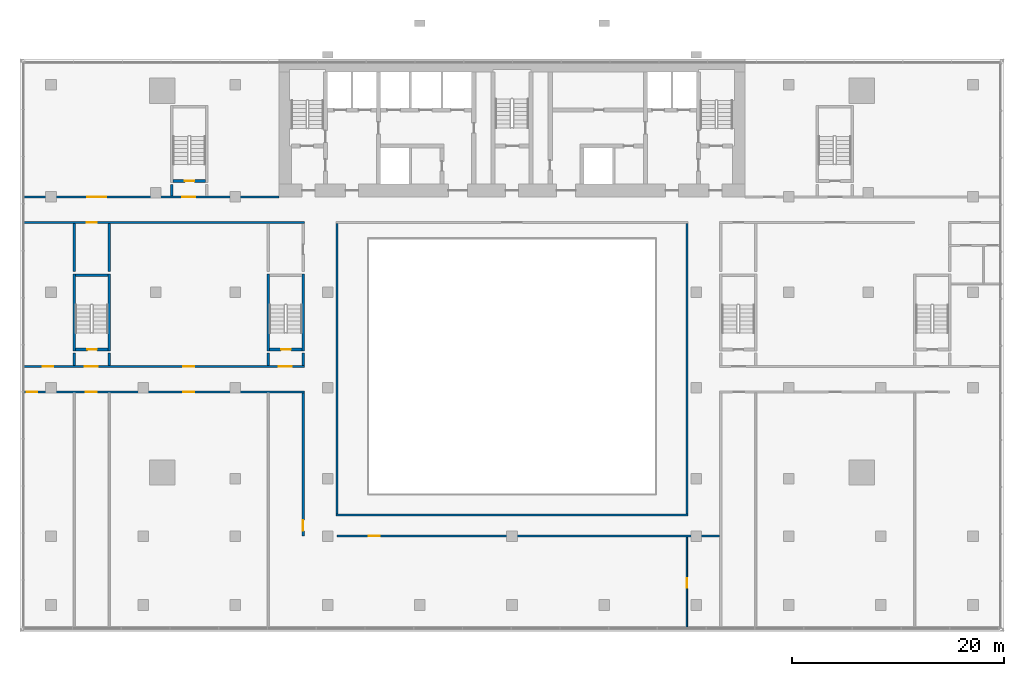
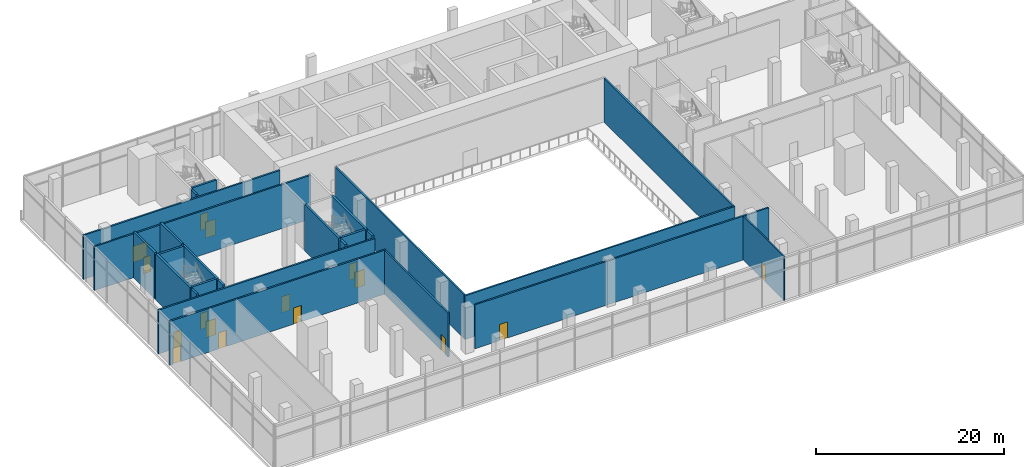
# One storey, part 12 of 22: 25 walls, 16 doors, 16 openings.
"""IFC4 building model written with IfcOpenShell, lengths in metres."""

from ifc_helpers import new_model, si_unit, direction, frame, frame_2d, origin, place, context, subcontext, project, spatial, rectangle, extrude, material, layer, layer_set, type_object, element, fill, save


model = new_model("IFC4")

# Units and contexts
model_context = context("Model", 3, precision=1e-05, world=origin(), true_north=direction((0.0, 1.0)))
body_context = subcontext(model_context, "Body", "Model", "MODEL_VIEW")
ifc_project = project(units=[si_unit("LENGTHUNIT", "METRE"), si_unit("AREAUNIT", "SQUARE_METRE"), si_unit("VOLUMEUNIT", "CUBIC_METRE"), si_unit("PLANEANGLEUNIT", "RADIAN"), si_unit("MASSUNIT", "GRAM", prefix="KILO")], contexts=[model_context])

# Site, building, storey
site_placement = place(None, origin())
site = spatial("IfcSite", under=ifc_project, at=site_placement, CompositionType="ELEMENT")
building_placement = place(site_placement, origin())
building = spatial("IfcBuilding", under=site, at=building_placement, Name="Bicima Exchange Tower", CompositionType="ELEMENT")
storey_placement = place(building_placement, frame((0.0, 0.0, 14.0)))
storey = spatial("IfcBuildingStorey", under=building, at=storey_placement, Name="L02", CompositionType="ELEMENT", Elevation=14.0)

# Wall, opening, door
ifc_material_1 = material(Name="Gypsum board partition")
ifc_layer_1 = layer(ifc_material_1, 0.199951171875)
ifc_layer_set_1 = layer_set([ifc_layer_1], Name="Gypsum board partition")
wall_type_1 = type_object("IfcWallType", Name="Fire-rated gypsum partition 200 EI60", PredefinedType="PARTITIONING", material=ifc_layer_set_1)
wall_1_placement = place(storey_placement, frame((-16.5, -45.0, 0.0), z_axis=(0.0, 0.0, 1.0), x_axis=(1.0, 0.0, 0.0)))
wall_1 = element("IfcWall", 1, at=wall_1_placement, inside=storey, type_object=wall_type_1, Name="partition wall 1", PredefinedType="PARTITIONING", context=body_context, shape_type="SweptSolid", body=[
    extrude(rectangle(XDim=36.10009765625, YDim=0.199951171875, at=frame_2d((18.050048828125, 0.0))), origin(), (0.0, 0.0, 1.0), 5.699951171875),
])
opening_1_placement = place(wall_1_placement, frame((3.0, 0.0, 0.0)))
opening_1 = element("IfcOpeningElement", 2, at=opening_1_placement, cuts=wall_1, Name="Opening L02-014", PredefinedType="OPENING", context=body_context, shape_type="SweptSolid", body=[
    extrude(rectangle(XDim=1.0, YDim=2.10009765625, at=frame_2d((0.5, 1.050048828125))), frame((0.0, 0.11181640625, 0.0), z_axis=(0.0, -1.0, 0.0), x_axis=(1.0, 0.0, 0.0)), (0.0, 0.0, 1.0), 0.223876953125),
])
ifc_material_2 = material(Name="Steel fire door leaf", Category="steel")
door_type_1 = type_object("IfcDoorType", Name="Door 1000 swing FD30S", OperationType="SINGLE_SWING_LEFT", PredefinedType="DOOR", material=ifc_material_2)
door_1_placement = place(opening_1_placement, frame((1.0, 0.0, 0.0), z_axis=(0.0, 0.0, 1.0), x_axis=(-1.0, 0.0, 0.0)))
door_1 = element("IfcDoor", 3, at=door_1_placement, inside=storey, type_object=door_type_1, Name="Door", OperationType="SINGLE_SWING_RIGHT", OverallHeight=2.10009765625, OverallWidth=1.0, PredefinedType="DOOR", context=body_context, shape_type="SweptSolid", body=[
    extrude(rectangle(XDim=1.0, YDim=2.10009765625, at=frame_2d((0.5, 1.050048828125))), frame((0.0, 0.02490234375, 0.0), z_axis=(0.0, -1.0, 0.0), x_axis=(1.0, 0.0, 0.0)), (0.0, 0.0, 1.0), 0.050048828125),
])
fill(opening_1, door_1)

# Wall
wall_2_placement = place(storey_placement, frame((-16.60009765625, -43.0, 0.0), z_axis=(0.0, 0.0, 1.0), x_axis=(1.0, 0.0, 0.0)))
element("IfcWall", 4, at=wall_2_placement, inside=storey, type_object=wall_type_1, Name="partition wall 2", PredefinedType="PARTITIONING", context=body_context, shape_type="SweptSolid", body=[
    extrude(rectangle(XDim=33.2001953125, YDim=0.199951171875, at=frame_2d((16.60009765625, 0.0))), origin(), (0.0, 0.0, 1.0), 5.699951171875),
])

# Wall, openings, doors
wall_3_placement = place(storey_placement, frame((-46.18994140625, -31.39990234375, 0.0), z_axis=(0.0, 0.0, 1.0), x_axis=(1.0, 0.0, 0.0)))
wall_3 = element("IfcWall", 5, at=wall_3_placement, inside=storey, type_object=wall_type_1, Name="partition wall 3", PredefinedType="PARTITIONING", context=body_context, shape_type="SweptSolid", body=[
    extrude(rectangle(XDim=26.58984375, YDim=0.199951171875, at=frame_2d((13.294921875, 0.0))), origin(), (0.0, 0.0, 1.0), 5.699951171875),
])
opening_2_placement = place(wall_3_placement, frame((0.39990234375, 0.0, 0.0)))
opening_2 = element("IfcOpeningElement", 6, at=opening_2_placement, cuts=wall_3, Name="Opening L02-018", PredefinedType="OPENING", context=body_context, shape_type="SweptSolid", body=[
    extrude(rectangle(XDim=1.0, YDim=2.10009765625, at=frame_2d((0.5, 1.050048828125))), frame((0.0, 0.11181640625, 0.0), z_axis=(0.0, -1.0, 0.0), x_axis=(1.0, 0.0, 0.0)), (0.0, 0.0, 1.0), 0.223876953125),
])
opening_3_placement = place(wall_3_placement, frame((5.989990234375, 0.0, 0.0)))
opening_3 = element("IfcOpeningElement", 7, at=opening_3_placement, cuts=wall_3, Name="Opening L02-020", PredefinedType="OPENING", context=body_context, shape_type="SweptSolid", body=[
    extrude(rectangle(XDim=1.0, YDim=2.10009765625, at=frame_2d((0.5, 1.050048828125))), frame((0.0, 0.11181640625, 0.0), z_axis=(0.0, -1.0, 0.0), x_axis=(1.0, 0.0, 0.0)), (0.0, 0.0, 1.0), 0.223876953125),
])
opening_4_placement = place(wall_3_placement, frame((15.18994140625, 0.0, 0.0)))
opening_4 = element("IfcOpeningElement", 8, at=opening_4_placement, cuts=wall_3, Name="Opening L02-022", PredefinedType="OPENING", context=body_context, shape_type="SweptSolid", body=[
    extrude(rectangle(XDim=1.0, YDim=2.10009765625, at=frame_2d((0.5, 1.050048828125))), frame((0.0, 0.11181640625, 0.0), z_axis=(0.0, -1.0, 0.0), x_axis=(1.0, 0.0, 0.0)), (0.0, 0.0, 1.0), 0.223876953125),
])
door_2_placement = place(opening_2_placement, frame((1.0, 0.0, 0.0), z_axis=(0.0, 0.0, 1.0), x_axis=(-1.0, 0.0, 0.0)))
door_2 = element("IfcDoor", 9, at=door_2_placement, inside=storey, type_object=door_type_1, Name="Door", OperationType="SINGLE_SWING_RIGHT", OverallHeight=2.10009765625, OverallWidth=1.0, PredefinedType="DOOR", context=body_context, shape_type="SweptSolid", body=[
    extrude(rectangle(XDim=1.0, YDim=2.10009765625, at=frame_2d((0.5, 1.050048828125))), frame((0.0, 0.02490234375, 0.0), z_axis=(0.0, -1.0, 0.0), x_axis=(1.0, 0.0, 0.0)), (0.0, 0.0, 1.0), 0.050048828125),
])
fill(opening_2, door_2)
door_3_placement = place(opening_3_placement, frame((1.0, 0.0, 0.0), z_axis=(0.0, 0.0, 1.0), x_axis=(-1.0, 0.0, 0.0)))
door_3 = element("IfcDoor", 10, at=door_3_placement, inside=storey, type_object=door_type_1, Name="Door", OperationType="SINGLE_SWING_RIGHT", OverallHeight=2.10009765625, OverallWidth=1.0, PredefinedType="DOOR", context=body_context, shape_type="SweptSolid", body=[
    extrude(rectangle(XDim=1.0, YDim=2.10009765625, at=frame_2d((0.5, 1.050048828125))), frame((0.0, 0.02490234375, 0.0), z_axis=(0.0, -1.0, 0.0), x_axis=(1.0, 0.0, 0.0)), (0.0, 0.0, 1.0), 0.050048828125),
])
fill(opening_3, door_3)
door_4_placement = place(opening_4_placement, frame((1.0, 0.0, 0.0), z_axis=(0.0, 0.0, 1.0), x_axis=(-1.0, 0.0, 0.0)))
door_4 = element("IfcDoor", 11, at=door_4_placement, inside=storey, type_object=door_type_1, Name="Door", OperationType="SINGLE_SWING_LEFT", OverallHeight=2.10009765625, OverallWidth=1.0, PredefinedType="DOOR", context=body_context, shape_type="SweptSolid", body=[
    extrude(rectangle(XDim=1.0, YDim=2.10009765625, at=frame_2d((0.5, 1.050048828125))), frame((0.0, 0.02490234375, 0.0), z_axis=(0.0, -1.0, 0.0), x_axis=(1.0, 0.0, 0.0)), (0.0, 0.0, 1.0), 0.050048828125),
])
fill(opening_4, door_4)

wall_4_placement = place(storey_placement, frame((-46.18994140625, -29.0, 0.0), z_axis=(0.0, 0.0, 1.0), x_axis=(1.0, 0.0, 0.0)))
wall_4 = element("IfcWall", 12, at=wall_4_placement, inside=storey, type_object=wall_type_1, Name="partition wall 5", PredefinedType="PARTITIONING", context=body_context, shape_type="SweptSolid", body=[
    extrude(rectangle(XDim=26.614990234375, YDim=0.199951171875, at=frame_2d((13.3076171875, 0.0))), origin(), (0.0, 0.0, 1.0), 5.699951171875),
])
opening_5_placement = place(wall_4_placement, frame((5.889892578125, 0.0, 0.0)))
opening_5 = element("IfcOpeningElement", 13, at=opening_5_placement, cuts=wall_4, Name="Opening L02-001", PredefinedType="OPENING", context=body_context, shape_type="SweptSolid", body=[
    extrude(rectangle(XDim=1.199951171875, YDim=2.10009765625, at=frame_2d((0.60009765625, 1.050048828125))), frame((0.0, 0.11181640625, 0.0), z_axis=(0.0, -1.0, 0.0), x_axis=(1.0, 0.0, 0.0)), (0.0, 0.0, 1.0), 0.223876953125),
])
opening_6_placement = place(wall_4_placement, frame((24.18994140625, 0.0, 0.0)))
opening_6 = element("IfcOpeningElement", 14, at=opening_6_placement, cuts=wall_4, Name="Opening L02-003", PredefinedType="OPENING", context=body_context, shape_type="SweptSolid", body=[
    extrude(rectangle(XDim=1.199951171875, YDim=2.10009765625, at=frame_2d((0.60009765625, 1.050048828125))), frame((0.0, 0.11181640625, 0.0), z_axis=(0.0, -1.0, 0.0), x_axis=(1.0, 0.0, 0.0)), (0.0, 0.0, 1.0), 0.223876953125),
])
opening_7_placement = place(wall_4_placement, frame((1.89990234375, 0.0, 0.0)))
opening_7 = element("IfcOpeningElement", 15, at=opening_7_placement, cuts=wall_4, Name="Opening L02-017", PredefinedType="OPENING", context=body_context, shape_type="SweptSolid", body=[
    extrude(rectangle(XDim=1.0, YDim=2.10009765625, at=frame_2d((0.5, 1.050048828125))), frame((0.0, 0.11181640625, 0.0), z_axis=(0.0, -1.0, 0.0), x_axis=(1.0, 0.0, 0.0)), (0.0, 0.0, 1.0), 0.223876953125),
])
opening_8_placement = place(wall_4_placement, frame((15.18994140625, 0.0, 0.0)))
opening_8 = element("IfcOpeningElement", 16, at=opening_8_placement, cuts=wall_4, Name="Opening L02-021", PredefinedType="OPENING", context=body_context, shape_type="SweptSolid", body=[
    extrude(rectangle(XDim=1.0, YDim=2.10009765625, at=frame_2d((0.5, 1.050048828125))), frame((0.0, 0.11181640625, 0.0), z_axis=(0.0, -1.0, 0.0), x_axis=(1.0, 0.0, 0.0)), (0.0, 0.0, 1.0), 0.223876953125),
])
door_5_placement = place(opening_7_placement, origin())
door_5 = element("IfcDoor", 17, at=door_5_placement, inside=storey, type_object=door_type_1, Name="Door", OperationType="SINGLE_SWING_LEFT", OverallHeight=2.10009765625, OverallWidth=1.0, PredefinedType="DOOR", context=body_context, shape_type="SweptSolid", body=[
    extrude(rectangle(XDim=1.0, YDim=2.10009765625, at=frame_2d((0.5, 1.050048828125))), frame((0.0, 0.02490234375, 0.0), z_axis=(0.0, -1.0, 0.0), x_axis=(1.0, 0.0, 0.0)), (0.0, 0.0, 1.0), 0.050048828125),
])
fill(opening_7, door_5)
door_6_placement = place(opening_8_placement, origin())
door_6 = element("IfcDoor", 18, at=door_6_placement, inside=storey, type_object=door_type_1, Name="Door", OperationType="SINGLE_SWING_RIGHT", OverallHeight=2.10009765625, OverallWidth=1.0, PredefinedType="DOOR", context=body_context, shape_type="SweptSolid", body=[
    extrude(rectangle(XDim=1.0, YDim=2.10009765625, at=frame_2d((0.5, 1.050048828125))), frame((0.0, 0.02490234375, 0.0), z_axis=(0.0, -1.0, 0.0), x_axis=(1.0, 0.0, 0.0)), (0.0, 0.0, 1.0), 0.050048828125),
])
fill(opening_8, door_6)
door_type_2 = type_object("IfcDoorType", Name="Door 1200 swing FD30S", OperationType="SINGLE_SWING_LEFT", PredefinedType="DOOR", material=ifc_material_2)
door_7_placement = place(opening_5_placement, origin())
door_7 = element("IfcDoor", 19, at=door_7_placement, inside=storey, type_object=door_type_2, Name="Door", OperationType="SINGLE_SWING_LEFT", OverallHeight=2.10009765625, OverallWidth=1.199951171875, PredefinedType="DOOR", context=body_context, shape_type="SweptSolid", body=[
    extrude(rectangle(XDim=1.199951171875, YDim=2.10009765625, at=frame_2d((0.60009765625, 1.050048828125))), frame((0.0, 0.02490234375, 0.0), z_axis=(0.0, -1.0, 0.0), x_axis=(1.0, 0.0, 0.0)), (0.0, 0.0, 1.0), 0.050048828125),
])
fill(opening_5, door_7)
door_8_placement = place(opening_6_placement, origin())
door_8 = element("IfcDoor", 20, at=door_8_placement, inside=storey, type_object=door_type_2, Name="Door", OperationType="SINGLE_SWING_RIGHT", OverallHeight=2.10009765625, OverallWidth=1.199951171875, PredefinedType="DOOR", context=body_context, shape_type="SweptSolid", body=[
    extrude(rectangle(XDim=1.199951171875, YDim=2.10009765625, at=frame_2d((0.60009765625, 1.050048828125))), frame((0.0, 0.02490234375, 0.0), z_axis=(0.0, -1.0, 0.0), x_axis=(1.0, 0.0, 0.0)), (0.0, 0.0, 1.0), 0.050048828125),
])
fill(opening_6, door_8)

# Wall, opening, door
wall_5_placement = place(storey_placement, frame((-46.18994140625, -15.39990234375, 0.0), z_axis=(0.0, 0.0, 1.0), x_axis=(1.0, 0.0, 0.0)))
wall_5 = element("IfcWall", 21, at=wall_5_placement, inside=storey, type_object=wall_type_1, Name="partition wall 17", PredefinedType="PARTITIONING", context=body_context, shape_type="SweptSolid", body=[
    extrude(rectangle(XDim=26.614990234375, YDim=0.199951171875, at=frame_2d((13.3076171875, 0.0))), origin(), (0.0, 0.0, 1.0), 5.699951171875),
])
opening_9_placement = place(wall_5_placement, frame((6.090087890625, 0.0, 0.0)))
opening_9 = element("IfcOpeningElement", 22, at=opening_9_placement, cuts=wall_5, Name="Opening L02-019", PredefinedType="OPENING", context=body_context, shape_type="SweptSolid", body=[
    extrude(rectangle(XDim=0.89990234375, YDim=2.10009765625, at=frame_2d((0.449951171875, 1.050048828125))), frame((0.0, 0.11181640625, 0.0), z_axis=(0.0, -1.0, 0.0), x_axis=(1.0, 0.0, 0.0)), (0.0, 0.0, 1.0), 0.223876953125),
])
door_type_3 = type_object("IfcDoorType", Name="Door 900 swing FD30S", OperationType="SINGLE_SWING_LEFT", PredefinedType="DOOR", material=ifc_material_2)
door_9_placement = place(opening_9_placement, frame((0.89990234375, 0.0, 0.0), z_axis=(0.0, 0.0, 1.0), x_axis=(-1.0, 0.0, 0.0)))
door_9 = element("IfcDoor", 23, at=door_9_placement, inside=storey, type_object=door_type_3, Name="Door", OperationType="SINGLE_SWING_LEFT", OverallHeight=2.10009765625, OverallWidth=0.89990234375, PredefinedType="DOOR", context=body_context, shape_type="SweptSolid", body=[
    extrude(rectangle(XDim=0.89990234375, YDim=2.10009765625, at=frame_2d((0.449951171875, 1.050048828125))), frame((0.0, 0.02490234375, 0.0), z_axis=(0.0, -1.0, 0.0), x_axis=(1.0, 0.0, 0.0)), (0.0, 0.0, 1.0), 0.050048828125),
])
fill(opening_9, door_9)

# Wall, openings, doors
wall_6_placement = place(storey_placement, frame((-46.18994140625, -13.0, 0.0), z_axis=(0.0, 0.0, 1.0), x_axis=(1.0, 0.0, 0.0)))
wall_6 = element("IfcWall", 24, at=wall_6_placement, inside=storey, type_object=wall_type_1, Name="partition wall 21", PredefinedType="PARTITIONING", context=body_context, shape_type="SweptSolid", body=[
    extrude(rectangle(XDim=24.18994140625, YDim=0.199951171875, at=frame_2d((12.094970703125, 0.0))), origin(), (0.0, 0.0, 1.0), 5.699951171875),
])
opening_10_placement = place(wall_6_placement, frame((15.090087890625, 0.0, 0.0)))
opening_10 = element("IfcOpeningElement", 25, at=opening_10_placement, cuts=wall_6, Name="Opening L02-009", PredefinedType="OPENING", context=body_context, shape_type="SweptSolid", body=[
    extrude(rectangle(XDim=1.199951171875, YDim=2.10009765625, at=frame_2d((0.60009765625, 1.050048828125))), frame((0.0, 0.11181640625, 0.0), z_axis=(0.0, -1.0, 0.0), x_axis=(1.0, 0.0, 0.0)), (0.0, 0.0, 1.0), 0.223876953125),
])
opening_11_placement = place(wall_6_placement, frame((6.10009765625, 0.0, 0.0)))
opening_11 = element("IfcOpeningElement", 26, at=opening_11_placement, cuts=wall_6, Name="Opening L02-015", PredefinedType="OPENING", context=body_context, shape_type="SweptSolid", body=[
    extrude(rectangle(XDim=1.800048828125, YDim=2.10009765625, at=frame_2d((0.89990234375, 1.050048828125))), frame((0.0, 0.11181640625, 0.0), z_axis=(0.0, -1.0, 0.0), x_axis=(1.0, 0.0, 0.0)), (0.0, 0.0, 1.0), 0.223876953125),
])
door_10_placement = place(opening_10_placement, origin())
door_10 = element("IfcDoor", 27, at=door_10_placement, inside=storey, type_object=door_type_2, Name="Door", OperationType="SINGLE_SWING_RIGHT", OverallHeight=2.10009765625, OverallWidth=1.199951171875, PredefinedType="DOOR", context=body_context, shape_type="SweptSolid", body=[
    extrude(rectangle(XDim=1.199951171875, YDim=2.10009765625, at=frame_2d((0.60009765625, 1.050048828125))), frame((0.0, 0.02490234375, 0.0), z_axis=(0.0, -1.0, 0.0), x_axis=(1.0, 0.0, 0.0)), (0.0, 0.0, 1.0), 0.050048828125),
])
fill(opening_10, door_10)
door_type_4 = type_object("IfcDoorType", Name="Door 1800 double swing FD30S", OperationType="DOUBLE_DOOR_SINGLE_SWING", PredefinedType="DOOR", material=ifc_material_2)
door_11_placement = place(opening_11_placement, origin())
door_11 = element("IfcDoor", 28, at=door_11_placement, inside=storey, type_object=door_type_4, Name="Door", OperationType="SINGLE_SWING_LEFT", OverallHeight=2.10009765625, OverallWidth=1.800048828125, PredefinedType="DOOR", context=body_context, shape_type="SweptSolid", body=[
    extrude(rectangle(XDim=1.800048828125, YDim=2.10009765625, at=frame_2d((0.89990234375, 1.050048828125))), frame((0.0, 0.02490234375, 0.0), z_axis=(0.0, -1.0, 0.0), x_axis=(1.0, 0.0, 0.0)), (0.0, 0.0, 1.0), 0.050048828125),
])
fill(opening_11, door_11)

# Wall, opening, door
wall_7_placement = place(storey_placement, frame((-19.699951171875, -45.0, 0.0), z_axis=(0.0, 0.0, 1.0), x_axis=(0.0, 1.0, 0.0)))
wall_7 = element("IfcWall", 29, at=wall_7_placement, inside=storey, type_object=wall_type_1, Name="partition wall 37", PredefinedType="PARTITIONING", context=body_context, shape_type="SweptSolid", body=[
    extrude(rectangle(XDim=13.5, YDim=0.199951171875, at=frame_2d((6.75, 0.0))), origin(), (0.0, 0.0, 1.0), 5.699951171875),
])
opening_12_placement = place(wall_7_placement, frame((0.5, 0.0, 0.0)))
opening_12 = element("IfcOpeningElement", 30, at=opening_12_placement, cuts=wall_7, Name="Opening L02-024", PredefinedType="OPENING", context=body_context, shape_type="SweptSolid", body=[
    extrude(rectangle(XDim=1.0, YDim=2.10009765625, at=frame_2d((0.5, 1.050048828125))), frame((0.0, 0.11181640625, 0.0), z_axis=(0.0, -1.0, 0.0), x_axis=(1.0, 0.0, 0.0)), (0.0, 0.0, 1.0), 0.223876953125),
])
door_12_placement = place(opening_12_placement, origin())
door_12 = element("IfcDoor", 31, at=door_12_placement, inside=storey, type_object=door_type_1, Name="Door", OperationType="SINGLE_SWING_RIGHT", OverallHeight=2.10009765625, OverallWidth=1.0, PredefinedType="DOOR", context=body_context, shape_type="SweptSolid", body=[
    extrude(rectangle(XDim=1.0, YDim=2.10009765625, at=frame_2d((0.5, 1.050048828125))), frame((0.0, 0.02490234375, 0.0), z_axis=(0.0, -1.0, 0.0), x_axis=(1.0, 0.0, 0.0)), (0.0, 0.0, 1.0), 0.050048828125),
])
fill(opening_12, door_12)

# Walls
for number, where, z_axis, x_axis, name in (
    (32, (-16.5, -42.89990234375, 0.0), (0.0, 0.0, 1.0), (0.0, 1.0, 0.0), "partition wall 39"),
    (33, (16.5, -42.89990234375, 0.0), (0.0, 0.0, 1.0), (0.0, 1.0, 0.0), "partition wall 41"),
):
    element("IfcWall", number, at=place(storey_placement, frame(where, z_axis=z_axis, x_axis=x_axis)), inside=storey, type_object=wall_type_1, Name=name, PredefinedType="PARTITIONING", context=body_context, shape_type="SweptSolid", body=[
        extrude(rectangle(XDim=27.39990234375, YDim=0.199951171875, at=frame_2d((13.699951171875, 0.0))), origin(), (0.0, 0.0, 1.0), 5.699951171875),
    ])

# Wall, opening, door
ifc_layer_2 = layer(ifc_material_1, 0.14990234375)
ifc_layer_set_2 = layer_set([ifc_layer_2], Name="Gypsum board partition")
wall_type_2 = type_object("IfcWallType", Name="Gypsum partition 150", PredefinedType="PARTITIONING", material=ifc_layer_set_2)
wall_8_placement = place(storey_placement, frame((16.5, -53.7900390625, 0.0), z_axis=(0.0, 0.0, 1.0), x_axis=(0.0, 1.0, 0.0)))
wall_8 = element("IfcWall", 34, at=wall_8_placement, inside=storey, type_object=wall_type_2, Name="partition wall 40", PredefinedType="PARTITIONING", context=body_context, shape_type="SweptSolid", body=[
    extrude(rectangle(XDim=8.68994140625, YDim=0.14990234375, at=frame_2d((4.344970703125, 0.0))), origin(), (0.0, 0.0, 1.0), 5.699951171875),
])
opening_13_placement = place(wall_8_placement, frame((3.89990234375, 0.0, 0.0)))
opening_13 = element("IfcOpeningElement", 35, at=opening_13_placement, cuts=wall_8, Name="Opening L02-025", PredefinedType="OPENING", context=body_context, shape_type="SweptSolid", body=[
    extrude(rectangle(XDim=0.89990234375, YDim=2.10009765625, at=frame_2d((0.449951171875, 1.050048828125))), frame((0.0, 0.0869140625, 0.0), z_axis=(0.0, -1.0, 0.0), x_axis=(1.0, 0.0, 0.0)), (0.0, 0.0, 1.0), 0.173828125),
])
ifc_material_3 = material(Name="Timber door leaf", Category="wood")
door_type_5 = type_object("IfcDoorType", Name="Door 900 swing", OperationType="SINGLE_SWING_LEFT", PredefinedType="DOOR", material=ifc_material_3)
door_13_placement = place(opening_13_placement, frame((0.89990234375, 0.0, 0.0), z_axis=(0.0, 0.0, 1.0), x_axis=(-1.0, 0.0, 0.0)))
door_13 = element("IfcDoor", 36, at=door_13_placement, inside=storey, type_object=door_type_5, Name="Door", OperationType="SINGLE_SWING_LEFT", OverallHeight=2.10009765625, OverallWidth=0.89990234375, PredefinedType="DOOR", context=body_context, shape_type="SweptSolid", body=[
    extrude(rectangle(XDim=0.89990234375, YDim=2.10009765625, at=frame_2d((0.449951171875, 1.050048828125))), frame((0.0, 0.02490234375, 0.0), z_axis=(0.0, -1.0, 0.0), x_axis=(1.0, 0.0, 0.0)), (0.0, 0.0, 1.0), 0.050048828125),
])
fill(opening_13, door_13)

# Walls
ifc_material_4 = material(Name="Concrete C50/60", Category="concrete")
ifc_layer_3 = layer(ifc_material_4, 0.25)
ifc_layer_set_3 = layer_set([ifc_layer_3], Name="Concrete C50/60")
wall_type_3 = type_object("IfcWallType", Name="RC core wall 250 C50/60", PredefinedType="SHEAR", material=ifc_layer_set_3)
wall_9_placement = place(storey_placement, frame((-41.300048828125, -28.89990234375, 0.0), z_axis=(0.0, 0.0, 1.0), x_axis=(0.0, 1.0, 0.0)))
element("IfcWall", 37, at=wall_9_placement, inside=storey, type_object=wall_type_3, Name="stair wall 30", PredefinedType="SHEAR", context=body_context, shape_type="SweptSolid", body=[
    extrude(rectangle(XDim=1.14990234375, YDim=0.25, at=frame_2d((0.574951171875, 0.0))), origin(), (0.0, 0.0, 1.0), 6.0),
])
wall_10_placement = place(storey_placement, frame((-41.300048828125, -20.050048828125, 0.0), z_axis=(0.0, 0.0, 1.0), x_axis=(0.0, 1.0, 0.0)))
element("IfcWall", 38, at=wall_10_placement, inside=storey, type_object=wall_type_3, Name="stair wall 30", PredefinedType="SHEAR", context=body_context, shape_type="SweptSolid", body=[
    extrude(rectangle(XDim=4.550048828125, YDim=0.25, at=frame_2d((2.27490234375, 0.0))), origin(), (0.0, 0.0, 1.0), 6.0),
])
wall_11_placement = place(storey_placement, frame((-38.0, -28.89990234375, 0.0), z_axis=(0.0, 0.0, 1.0), x_axis=(0.0, 1.0, 0.0)))
element("IfcWall", 39, at=wall_11_placement, inside=storey, type_object=wall_type_3, Name="stair wall 32", PredefinedType="SHEAR", context=body_context, shape_type="SweptSolid", body=[
    extrude(rectangle(XDim=1.14990234375, YDim=0.25, at=frame_2d((0.574951171875, 0.0))), origin(), (0.0, 0.0, 1.0), 6.0),
])
wall_12_placement = place(storey_placement, frame((-38.0, -20.050048828125, 0.0), z_axis=(0.0, 0.0, 1.0), x_axis=(0.0, 1.0, 0.0)))
element("IfcWall", 40, at=wall_12_placement, inside=storey, type_object=wall_type_3, Name="stair wall 32", PredefinedType="SHEAR", context=body_context, shape_type="SweptSolid", body=[
    extrude(rectangle(XDim=4.550048828125, YDim=0.25, at=frame_2d((2.27490234375, 0.0))), origin(), (0.0, 0.0, 1.0), 6.0),
])
wall_13_placement = place(storey_placement, frame((-32.10009765625, -12.89990234375, 0.0), z_axis=(0.0, 0.0, 1.0), x_axis=(0.0, 1.0, 0.0)))
element("IfcWall", 41, at=wall_13_placement, inside=storey, type_object=wall_type_3, Name="stair wall 33", PredefinedType="SHEAR", context=body_context, shape_type="SweptSolid", body=[
    extrude(rectangle(XDim=1.0498046875, YDim=0.25, at=frame_2d((0.52490234375, 0.0))), origin(), (0.0, 0.0, 1.0), 6.0),
])
for number, where, z_axis, x_axis, name in (
    (42, (-23.0, -28.89990234375, 0.0), (0.0, 0.0, 1.0), (0.0, 1.0, 0.0), "stair wall 36"),
    (43, (-19.699951171875, -28.89990234375, 0.0), (0.0, 0.0, 1.0), (0.0, 1.0, 0.0), "stair wall 38"),
):
    element("IfcWall", number, at=place(storey_placement, frame(where, z_axis=z_axis, x_axis=x_axis)), inside=storey, type_object=wall_type_3, Name=name, PredefinedType="SHEAR", context=body_context, shape_type="SweptSolid", body=[
        extrude(rectangle(XDim=1.14990234375, YDim=0.25, at=frame_2d((0.574951171875, 0.0))), origin(), (0.0, 0.0, 1.0), 6.0),
    ])

# Wall, opening, door
ifc_layer_4 = layer(ifc_material_4, 0.25)
ifc_layer_set_4 = layer_set([ifc_layer_4], Name="Concrete C50/60")
wall_type_4 = type_object("IfcWallType", Name="RC stair enclosure wall 250 C50/60", PredefinedType="SHEAR", material=ifc_layer_set_4)
wall_14_placement = place(storey_placement, frame((-31.97509765625, -11.5, 0.0), z_axis=(0.0, 0.0, 1.0), x_axis=(1.0, 0.0, 0.0)))
wall_14 = element("IfcWall", 44, at=wall_14_placement, inside=storey, type_object=wall_type_4, Name="West end exit stair wall S", PredefinedType="SHEAR", context=body_context, shape_type="SweptSolid", body=[
    extrude(rectangle(XDim=3.050048828125, YDim=0.25, at=frame_2d((1.52490234375, 0.0))), origin(), (0.0, 0.0, 1.0), 6.0),
])
opening_14_placement = place(wall_14_placement, frame((1.10009765625, 0.0, 0.0)))
opening_14 = element("IfcOpeningElement", 45, at=opening_14_placement, cuts=wall_14, Name="Opening L02-010", PredefinedType="OPENING", context=body_context, shape_type="SweptSolid", body=[
    extrude(rectangle(XDim=0.89990234375, YDim=2.10009765625, at=frame_2d((0.449951171875, 1.050048828125))), frame((0.0, 0.136962890625, 0.0), z_axis=(0.0, -1.0, 0.0), x_axis=(1.0, 0.0, 0.0)), (0.0, 0.0, 1.0), 0.27392578125),
])
door_type_6 = type_object("IfcDoorType", Name="Door 900 swing FD60S", OperationType="SINGLE_SWING_LEFT", PredefinedType="DOOR", material=ifc_material_2)
door_14_placement = place(opening_14_placement, origin())
door_14 = element("IfcDoor", 46, at=door_14_placement, inside=storey, type_object=door_type_6, Name="Door", OperationType="SINGLE_SWING_LEFT", OverallHeight=2.10009765625, OverallWidth=0.89990234375, PredefinedType="DOOR", context=body_context, shape_type="SweptSolid", body=[
    extrude(rectangle(XDim=0.89990234375, YDim=2.10009765625, at=frame_2d((0.449951171875, 1.050048828125))), frame((0.0, 0.02490234375, 0.0), z_axis=(0.0, -1.0, 0.0), x_axis=(1.0, 0.0, 0.0)), (0.0, 0.0, 1.0), 0.050048828125),
])
fill(opening_14, door_14)

# Walls
for number, where, z_axis, x_axis, name in (
    (47, (-41.300048828125, -27.52490234375, 0.0), (0.0, 0.0, 1.0), (0.0, 1.0, 0.0), "Podium west stair wall W"),
    (48, (-38.0, -27.52490234375, 0.0), (0.0, 0.0, 1.0), (0.0, 1.0, 0.0), "Podium west stair wall E"),
):
    element("IfcWall", number, at=place(storey_placement, frame(where, z_axis=z_axis, x_axis=x_axis)), inside=storey, type_object=wall_type_4, Name=name, PredefinedType="SHEAR", context=body_context, shape_type="SweptSolid", body=[
        extrude(rectangle(XDim=7.25, YDim=0.25, at=frame_2d((3.625, 0.0))), origin(), (0.0, 0.0, 1.0), 6.0),
    ])

# Wall, opening, door
wall_15_placement = place(storey_placement, frame((-41.175048828125, -27.39990234375, 0.0), z_axis=(0.0, 0.0, 1.0), x_axis=(1.0, 0.0, 0.0)))
wall_15 = element("IfcWall", 49, at=wall_15_placement, inside=storey, type_object=wall_type_4, Name="Podium west stair wall S", PredefinedType="SHEAR", context=body_context, shape_type="SweptSolid", body=[
    extrude(rectangle(XDim=3.050048828125, YDim=0.25, at=frame_2d((1.52490234375, 0.0))), origin(), (0.0, 0.0, 1.0), 6.0),
])
opening_15_placement = place(wall_15_placement, frame((1.10009765625, 0.0, 0.0)))
opening_15 = element("IfcOpeningElement", 50, at=opening_15_placement, cuts=wall_15, Name="Opening L02-002", PredefinedType="OPENING", context=body_context, shape_type="SweptSolid", body=[
    extrude(rectangle(XDim=0.89990234375, YDim=2.10009765625, at=frame_2d((0.449951171875, 1.050048828125))), frame((0.0, 0.136962890625, 0.0), z_axis=(0.0, -1.0, 0.0), x_axis=(1.0, 0.0, 0.0)), (0.0, 0.0, 1.0), 0.27392578125),
])
door_15_placement = place(opening_15_placement, origin())
door_15 = element("IfcDoor", 51, at=door_15_placement, inside=storey, type_object=door_type_6, Name="Door", OperationType="SINGLE_SWING_LEFT", OverallHeight=2.10009765625, OverallWidth=0.89990234375, PredefinedType="DOOR", context=body_context, shape_type="SweptSolid", body=[
    extrude(rectangle(XDim=0.89990234375, YDim=2.10009765625, at=frame_2d((0.449951171875, 1.050048828125))), frame((0.0, 0.02490234375, 0.0), z_axis=(0.0, -1.0, 0.0), x_axis=(1.0, 0.0, 0.0)), (0.0, 0.0, 1.0), 0.050048828125),
])
fill(opening_15, door_15)

# Walls
wall_16_placement = place(storey_placement, frame((-41.175048828125, -20.39990234375, 0.0), z_axis=(0.0, 0.0, 1.0), x_axis=(1.0, 0.0, 0.0)))
element("IfcWall", 52, at=wall_16_placement, inside=storey, type_object=wall_type_4, Name="Podium west stair wall N", PredefinedType="SHEAR", context=body_context, shape_type="SweptSolid", body=[
    extrude(rectangle(XDim=3.050048828125, YDim=0.25, at=frame_2d((1.52490234375, 0.0))), origin(), (0.0, 0.0, 1.0), 6.0),
])
for number, where, z_axis, x_axis, name in (
    (53, (-23.0, -27.52490234375, 0.0), (0.0, 0.0, 1.0), (0.0, 1.0, 0.0), "Podium inner west stair wall W"),
    (54, (-19.699951171875, -27.52490234375, 0.0), (0.0, 0.0, 1.0), (0.0, 1.0, 0.0), "Podium inner west stair wall E"),
):
    element("IfcWall", number, at=place(storey_placement, frame(where, z_axis=z_axis, x_axis=x_axis)), inside=storey, type_object=wall_type_4, Name=name, PredefinedType="SHEAR", context=body_context, shape_type="SweptSolid", body=[
        extrude(rectangle(XDim=7.25, YDim=0.25, at=frame_2d((3.625, 0.0))), origin(), (0.0, 0.0, 1.0), 6.0),
    ])

# Wall, opening, door
wall_17_placement = place(storey_placement, frame((-22.875, -27.39990234375, 0.0), z_axis=(0.0, 0.0, 1.0), x_axis=(1.0, 0.0, 0.0)))
wall_17 = element("IfcWall", 55, at=wall_17_placement, inside=storey, type_object=wall_type_4, Name="Podium inner west stair wall S", PredefinedType="SHEAR", context=body_context, shape_type="SweptSolid", body=[
    extrude(rectangle(XDim=3.050048828125, YDim=0.25, at=frame_2d((1.52490234375, 0.0))), origin(), (0.0, 0.0, 1.0), 6.0),
])
opening_16_placement = place(wall_17_placement, frame((1.10009765625, 0.0, 0.0)))
opening_16 = element("IfcOpeningElement", 56, at=opening_16_placement, cuts=wall_17, Name="Opening L02-004", PredefinedType="OPENING", context=body_context, shape_type="SweptSolid", body=[
    extrude(rectangle(XDim=0.89990234375, YDim=2.10009765625, at=frame_2d((0.449951171875, 1.050048828125))), frame((0.0, 0.136962890625, 0.0), z_axis=(0.0, -1.0, 0.0), x_axis=(1.0, 0.0, 0.0)), (0.0, 0.0, 1.0), 0.27392578125),
])
door_16_placement = place(opening_16_placement, origin())
door_16 = element("IfcDoor", 57, at=door_16_placement, inside=storey, type_object=door_type_6, Name="Door", OperationType="SINGLE_SWING_LEFT", OverallHeight=2.10009765625, OverallWidth=0.89990234375, PredefinedType="DOOR", context=body_context, shape_type="SweptSolid", body=[
    extrude(rectangle(XDim=0.89990234375, YDim=2.10009765625, at=frame_2d((0.449951171875, 1.050048828125))), frame((0.0, 0.02490234375, 0.0), z_axis=(0.0, -1.0, 0.0), x_axis=(1.0, 0.0, 0.0)), (0.0, 0.0, 1.0), 0.050048828125),
])
fill(opening_16, door_16)

save(model, "model.ifc")
